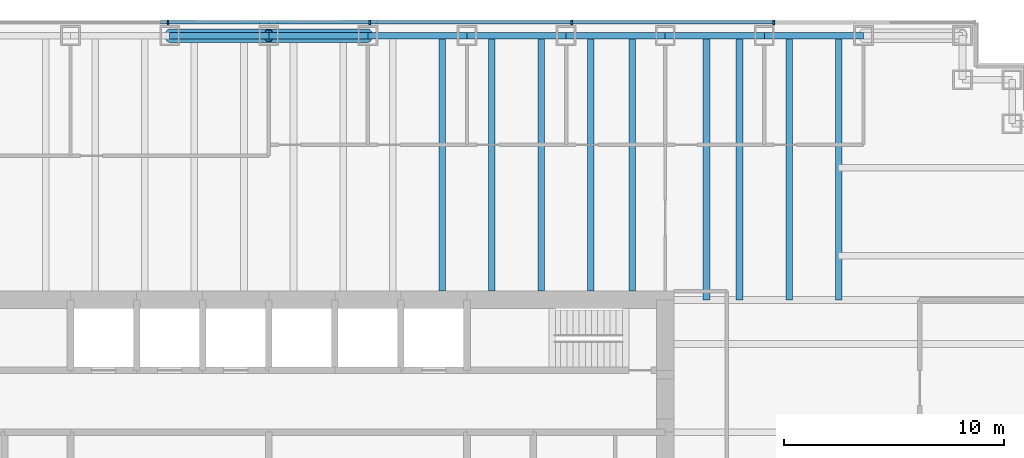
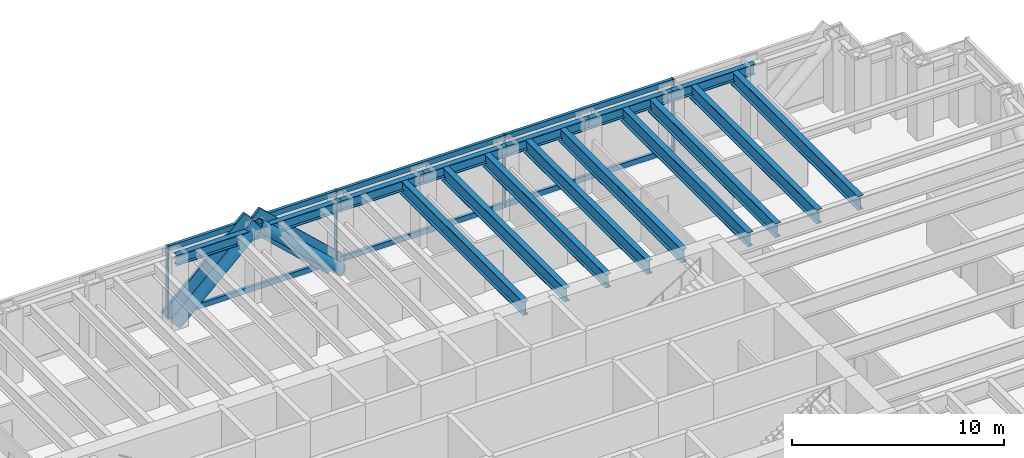
# One storey, part 6 of 14: 16 beams, 14 members, 1 element without a shape of its own.
"""IFC4 building model written with IfcOpenShell, lengths in metres."""

from ifc_helpers import new_model, si_unit, direction, frame, origin, origin_2d, place, context, subcontext, project, spatial, rectangle, hollow_circle, i_section, extrude, material, material_profile, profile_set, type_object, element, aggregate, save


model = new_model("IFC4")

# Units and contexts
model_context = context("Model", 3, precision=1e-05, world=origin(), true_north=direction((0.0, 1.0)))
body_context = subcontext(model_context, "Body", "Model", "MODEL_VIEW")
ifc_project = project(units=[si_unit("LENGTHUNIT", "METRE"), si_unit("AREAUNIT", "SQUARE_METRE"), si_unit("VOLUMEUNIT", "CUBIC_METRE"), si_unit("PLANEANGLEUNIT", "RADIAN"), si_unit("MASSUNIT", "GRAM", prefix="KILO")], contexts=[model_context])

# Site, building, storey
site_placement = place(None, origin())
site = spatial("IfcSite", under=ifc_project, at=site_placement, CompositionType="ELEMENT")
building_placement = place(site_placement, origin())
building = spatial("IfcBuilding", under=site, at=building_placement, Name="Rheinbord Bourse Tower", CompositionType="ELEMENT")
storey_placement = place(building_placement, frame((0.0, 0.0, 211.0)))
storey = spatial("IfcBuildingStorey", under=building, at=storey_placement, Name="L47", CompositionType="ELEMENT", Elevation=211.0)

# Curtain wall, members
ifc_material_1 = material(Name="Dark glass and black aluminium", Category="aluminium")
curtain_wall_type = type_object("IfcCurtainWallType", Name="CW2 DARK GLASS CURTAIN WALL", PredefinedType="USERDEFINED", material=ifc_material_1)
curtain_wall_placement = place(storey_placement, origin())
curtain_wall = element("IfcCurtainWall", 1, at=curtain_wall_placement, inside=storey, type_object=curtain_wall_type, Name="Curtain wall CW2 N L47", ObjectType="UNITISED CURTAIN WALL", PredefinedType="USERDEFINED")
ifc_material_2 = material(Name="Black anodised aluminium", Category="aluminium")
ifc_material_profile_1 = material_profile(ifc_material_2, rectangle(XDim=0.159912109375, YDim=1.2099609375, at=origin_2d()), Name="CW2 DIAGONAL MULLION 1210x160")
ifc_profile_set_1 = profile_set([ifc_material_profile_1], Name="Black anodised aluminium")
member_type_1 = type_object("IfcMemberType", Name="CW2 BLACK DIAGONAL MULLION", PredefinedType="USERDEFINED", material=ifc_profile_set_1)
member_1_placement = place(storey_placement, frame((40.5, 44.60009765625, 0.0), z_axis=(-0.73105922506, 0.0, 0.682314010889), x_axis=(0.0, -1.0, 0.0)))
member_1 = element("IfcMember", 2, at=member_1_placement, type_object=member_type_1, Name="CW2 diagonal mullion a", ObjectType="DIAGONAL MULLION", PredefinedType="USERDEFINED", context=body_context, shape_type="SweptSolid", body=[
    extrude(rectangle(XDim=0.159912109375, YDim=1.2099609375, at=origin_2d()), origin(), (0.0, 0.0, 1.0), 6.155517578125),
])
member_2_placement = place(storey_placement, frame((31.5, 44.60009765625, 0.0), z_axis=(0.73105922506, 0.0, 0.682314010889), x_axis=(0.0, 1.0, 0.0)))
member_2 = element("IfcMember", 3, at=member_2_placement, type_object=member_type_1, Name="CW2 diagonal mullion b", ObjectType="DIAGONAL MULLION", PredefinedType="USERDEFINED", context=body_context, shape_type="SweptSolid", body=[
    extrude(rectangle(XDim=0.159912109375, YDim=1.2099609375, at=origin_2d()), origin(), (0.0, 0.0, 1.0), 6.155517578125),
])
ifc_material_3 = material(Name="Black anodised aluminium", Category="aluminium")
ifc_material_profile_2 = material_profile(ifc_material_3, rectangle(XDim=0.219970703125, YDim=0.070068359375, at=origin_2d()), Name="CW2 MULLION 70x220")
ifc_profile_set_2 = profile_set([ifc_material_profile_2], Name="Black anodised aluminium")
member_type_2 = type_object("IfcMemberType", Name="CW2 BLACK MULLION", PredefinedType="MULLION", material=ifc_profile_set_2)
member_3_placement = place(storey_placement, frame((58.928466796875, 44.60009765625, 0.0), z_axis=(0.0, 0.0, 1.0), x_axis=(0.0, -1.0, 0.0)))
member_3 = element("IfcMember", 4, at=member_3_placement, type_object=member_type_2, Name="CW2 mullion 2", PredefinedType="MULLION", context=body_context, shape_type="SweptSolid", body=[
    extrude(rectangle(XDim=0.219970703125, YDim=0.070068359375, at=origin_2d()), origin(), (0.0, 0.0, 1.0), 4.199951171875),
])
member_4_placement = place(storey_placement, frame((49.757080078125, 44.60009765625, 0.0), z_axis=(0.0, 0.0, 1.0), x_axis=(0.0, -1.0, 0.0)))
member_4 = element("IfcMember", 5, at=member_4_placement, type_object=member_type_2, Name="CW2 mullion 3", PredefinedType="MULLION", context=body_context, shape_type="SweptSolid", body=[
    extrude(rectangle(XDim=0.219970703125, YDim=0.070068359375, at=origin_2d()), origin(), (0.0, 0.0, 1.0), 4.199951171875),
])
member_5_placement = place(storey_placement, frame((40.585693359375, 44.60009765625, 0.0), z_axis=(0.0, 0.0, 1.0), x_axis=(0.0, -1.0, 0.0)))
member_5 = element("IfcMember", 6, at=member_5_placement, type_object=member_type_2, Name="CW2 mullion 4", PredefinedType="MULLION", context=body_context, shape_type="SweptSolid", body=[
    extrude(rectangle(XDim=0.219970703125, YDim=0.070068359375, at=origin_2d()), origin(), (0.0, 0.0, 1.0), 4.199951171875),
])
member_6_placement = place(storey_placement, frame((31.414306640625, 44.60009765625, 0.0), z_axis=(0.0, 0.0, 1.0), x_axis=(0.0, -1.0, 0.0)))
member_6 = element("IfcMember", 7, at=member_6_placement, type_object=member_type_2, Name="CW2 mullion 5", PredefinedType="MULLION", context=body_context, shape_type="SweptSolid", body=[
    extrude(rectangle(XDim=0.219970703125, YDim=0.070068359375, at=origin_2d()), origin(), (0.0, 0.0, 1.0), 4.199951171875),
])
ifc_material_4 = material(Name="Black anodised aluminium", Category="aluminium")
ifc_material_profile_3 = material_profile(ifc_material_4, rectangle(XDim=0.159912109375, YDim=0.300048828125, at=origin_2d()), Name="CW2 TRANSOM 300x160")
ifc_profile_set_3 = profile_set([ifc_material_profile_3], Name="Black anodised aluminium")
member_type_3 = type_object("IfcMemberType", Name="CW2 BLACK TRANSOM", PredefinedType="USERDEFINED", material=ifc_profile_set_3)
member_7_placement = place(storey_placement, frame((58.8935546875, 44.60009765625, 0.14990234375), z_axis=(-1.0, 0.0, 0.0), x_axis=(0.0, -1.0, 0.0)))
member_7 = element("IfcMember", 8, at=member_7_placement, type_object=member_type_3, Name="CW2 transom 2.1", ObjectType="TRANSOM", PredefinedType="USERDEFINED", context=body_context, shape_type="SweptSolid", body=[
    extrude(rectangle(XDim=0.159912109375, YDim=0.300048828125, at=origin_2d()), origin(), (0.0, 0.0, 1.0), 9.101318359375),
])
member_8_placement = place(storey_placement, frame((58.8935546875, 44.60009765625, 4.050048828125), z_axis=(-1.0, 0.0, 0.0), x_axis=(0.0, -1.0, 0.0)))
member_8 = element("IfcMember", 9, at=member_8_placement, type_object=member_type_3, Name="CW2 transom 2.2", ObjectType="TRANSOM", PredefinedType="USERDEFINED", context=body_context, shape_type="SweptSolid", body=[
    extrude(rectangle(XDim=0.159912109375, YDim=0.300048828125, at=origin_2d()), origin(), (0.0, 0.0, 1.0), 9.101318359375),
])
member_9_placement = place(storey_placement, frame((49.72216796875, 44.60009765625, 0.14990234375), z_axis=(-1.0, 0.0, 0.0), x_axis=(0.0, -1.0, 0.0)))
member_9 = element("IfcMember", 10, at=member_9_placement, type_object=member_type_3, Name="CW2 transom 3.1", ObjectType="TRANSOM", PredefinedType="USERDEFINED", context=body_context, shape_type="SweptSolid", body=[
    extrude(rectangle(XDim=0.159912109375, YDim=0.300048828125, at=origin_2d()), origin(), (0.0, 0.0, 1.0), 9.1015625),
])
member_10_placement = place(storey_placement, frame((49.72216796875, 44.60009765625, 4.050048828125), z_axis=(-1.0, 0.0, 0.0), x_axis=(0.0, -1.0, 0.0)))
member_10 = element("IfcMember", 11, at=member_10_placement, type_object=member_type_3, Name="CW2 transom 3.2", ObjectType="TRANSOM", PredefinedType="USERDEFINED", context=body_context, shape_type="SweptSolid", body=[
    extrude(rectangle(XDim=0.159912109375, YDim=0.300048828125, at=origin_2d()), origin(), (0.0, 0.0, 1.0), 9.1015625),
])
member_11_placement = place(storey_placement, frame((40.55078125, 44.60009765625, 0.14990234375), z_axis=(-1.0, 0.0, 0.0), x_axis=(0.0, -1.0, 0.0)))
member_11 = element("IfcMember", 12, at=member_11_placement, type_object=member_type_3, Name="CW2 transom 4.1", ObjectType="TRANSOM", PredefinedType="USERDEFINED", context=body_context, shape_type="SweptSolid", body=[
    extrude(rectangle(XDim=0.159912109375, YDim=0.300048828125, at=origin_2d()), origin(), (0.0, 0.0, 1.0), 9.1015625),
])
member_12_placement = place(storey_placement, frame((40.55078125, 44.60009765625, 4.050048828125), z_axis=(-1.0, 0.0, 0.0), x_axis=(0.0, -1.0, 0.0)))
member_12 = element("IfcMember", 13, at=member_12_placement, type_object=member_type_3, Name="CW2 transom 4.2", ObjectType="TRANSOM", PredefinedType="USERDEFINED", context=body_context, shape_type="SweptSolid", body=[
    extrude(rectangle(XDim=0.159912109375, YDim=0.300048828125, at=origin_2d()), origin(), (0.0, 0.0, 1.0), 9.1015625),
])
aggregate(curtain_wall, [member_3, member_4, member_5, member_6, member_7, member_8, member_9, member_10, member_11, member_12, member_1, member_2])

# Beams
ifc_material_5 = material(Name="Steel S460", Category="steel")
ifc_material_profile_4 = material_profile(ifc_material_5, i_section(OverallWidth=0.300048828125, OverallDepth=0.800048828125, WebThickness=0.017578125, FlangeThickness=0.032958984375, at=origin_2d()), Name="HEB 800")
ifc_profile_set_4 = profile_set([ifc_material_profile_4], Name="Steel S460")
beam_type_1 = type_object("IfcBeamType", Name="FLOOR BEAM HEB 800", PredefinedType="BEAM", material=ifc_profile_set_4)
for number, where, z_axis, x_axis, name in (
    (14, (43.875, 44.0, 3.639892578125), (0.0, -1.0, 0.0), (1.0, 0.0, 0.0), "Floor beam N-40.5b L48"),
    (15, (46.125, 44.0, 3.639892578125), (0.0, -1.0, 0.0), (1.0, 0.0, 0.0), "Floor beam N-45a L48"),
    (16, (48.375, 44.0, 3.639892578125), (0.0, -1.0, 0.0), (1.0, 0.0, 0.0), "Floor beam N-45b L48"),
    (17, (50.625, 44.0, 3.639892578125), (0.0, -1.0, 0.0), (1.0, 0.0, 0.0), "Floor beam N-49.5a L48"),
    (18, (52.5, 44.0, 3.639892578125), (0.0, -1.0, 0.0), (1.0, 0.0, 0.0), "Floor beam N-49.5b L48"),
):
    element("IfcBeam", number, at=place(storey_placement, frame(where, z_axis=z_axis, x_axis=x_axis)), inside=storey, type_object=beam_type_1, Name=name, PredefinedType="BEAM", context=body_context, shape_type="SweptSolid", body=[
        extrude(i_section(OverallWidth=0.300048828125, OverallDepth=0.800048828125, WebThickness=0.017578125, FlangeThickness=0.032958984375, at=origin_2d()), origin(), (0.0, 0.0, 1.0), 11.60009765625),
    ])
for number, where, z_axis, x_axis, name in (
    (19, (55.875, 44.0, 3.639892578125), (0.0, -1.0, 0.0), (1.0, 0.0, 0.0), "Floor beam N-54a L48"),
    (20, (57.375, 44.0, 3.639892578125), (0.0, -1.0, 0.0), (1.0, 0.0, 0.0), "Floor beam N-54b L48"),
    (21, (59.625, 44.0, 3.639892578125), (0.0, -1.0, 0.0), (1.0, 0.0, 0.0), "Floor beam N-58.5a L48"),
    (22, (61.875, 44.0, 3.639892578125), (0.0, -1.0, 0.0), (1.0, 0.0, 0.0), "Floor beam N-58.5b L48"),
):
    element("IfcBeam", number, at=place(storey_placement, frame(where, z_axis=z_axis, x_axis=x_axis)), inside=storey, type_object=beam_type_1, Name=name, PredefinedType="BEAM", context=body_context, shape_type="SweptSolid", body=[
        extrude(i_section(OverallWidth=0.300048828125, OverallDepth=0.800048828125, WebThickness=0.017578125, FlangeThickness=0.032958984375, at=origin_2d()), origin(), (0.0, 0.0, 1.0), 12.0),
    ])

# Members
ifc_material_6 = material(Name="Steel S460", Category="steel")
ifc_material_profile_5 = material_profile(ifc_material_6, hollow_circle(Radius=0.304931640625, WallThickness=0.0400390625, at=origin_2d()), Name="CHS 610x40")
ifc_profile_set_5 = profile_set([ifc_material_profile_5], Name="Steel S460")
member_type_4 = type_object("IfcMemberType", Name="MEGABRACE CHS 610x40", PredefinedType="BRACE", material=ifc_profile_set_5)
for number, where, z_axis, x_axis, name in (
    (23, (40.5, 44.0, 0.0), (-0.73105922506, 0.0, 0.682314010889), (0.0, -1.0, 0.0), "Megabrace N face line a L47"),
    (24, (31.5, 44.0, 0.0), (0.73105922506, 0.0, 0.682314010889), (0.0, 1.0, 0.0), "Megabrace N face line b L47"),
):
    element("IfcMember", number, at=place(storey_placement, frame(where, z_axis=z_axis, x_axis=x_axis)), inside=storey, type_object=member_type_4, Name=name, PredefinedType="BRACE", context=body_context, shape_type="SweptSolid", body=[
        extrude(hollow_circle(Radius=0.304931640625, WallThickness=0.0400390625, at=origin_2d()), origin(), (0.0, 0.0, 1.0), 6.155517578125),
    ])

# Beams
ifc_material_7 = material(Name="Steel S460", Category="steel")
ifc_material_profile_6 = material_profile(ifc_material_7, i_section(OverallWidth=0.300048828125, OverallDepth=0.60009765625, WebThickness=0.015380859375, FlangeThickness=0.030029296875, at=origin_2d()), Name="HEB 600")
ifc_profile_set_6 = profile_set([ifc_material_profile_6], Name="Steel S460")
beam_type_2 = type_object("IfcBeamType", Name="SPANDREL HEB 600", PredefinedType="SPANDREL", material=ifc_profile_set_6)
for number, where, z_axis, x_axis, name in (
    (25, (63.0, 44.0, 3.739990234375), (-1.0, 0.0, 0.0), (0.0, -1.0, 0.0), "Spandrel N-63-N-58.5 under L48"),
    (26, (58.5, 44.0, 3.739990234375), (-1.0, 0.0, 0.0), (0.0, -1.0, 0.0), "Spandrel N-58.5-N-54 under L48"),
    (27, (54.0, 44.0, 3.739990234375), (-1.0, 0.0, 0.0), (0.0, -1.0, 0.0), "Spandrel N-54-N-49.5 under L48"),
    (28, (49.5, 44.0, 3.739990234375), (-1.0, 0.0, 0.0), (0.0, -1.0, 0.0), "Spandrel N-49.5-N-45 under L48"),
    (29, (45.0, 44.0, 3.739990234375), (-1.0, 0.0, 0.0), (0.0, -1.0, 0.0), "Spandrel N-45-N-40.5 under L48"),
    (30, (40.5, 44.0, 3.739990234375), (-1.0, 0.0, 0.0), (0.0, -1.0, 0.0), "Spandrel N-40.5-N-36 under L48"),
    (31, (36.0, 44.0, 3.739990234375), (-1.0, 0.0, 0.0), (0.0, -1.0, 0.0), "Spandrel N-36-N-31.5 under L48"),
):
    element("IfcBeam", number, at=place(storey_placement, frame(where, z_axis=z_axis, x_axis=x_axis)), inside=storey, type_object=beam_type_2, Name=name, PredefinedType="SPANDREL", context=body_context, shape_type="SweptSolid", body=[
        extrude(i_section(OverallWidth=0.300048828125, OverallDepth=0.60009765625, WebThickness=0.015380859375, FlangeThickness=0.030029296875, at=origin_2d()), origin(), (0.0, 0.0, 1.0), 4.5),
    ])

save(model, "model.ifc")
